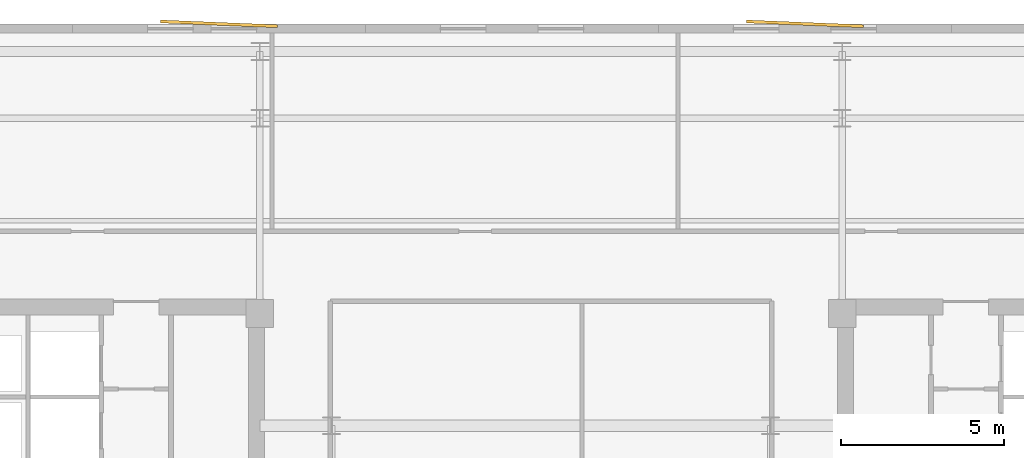
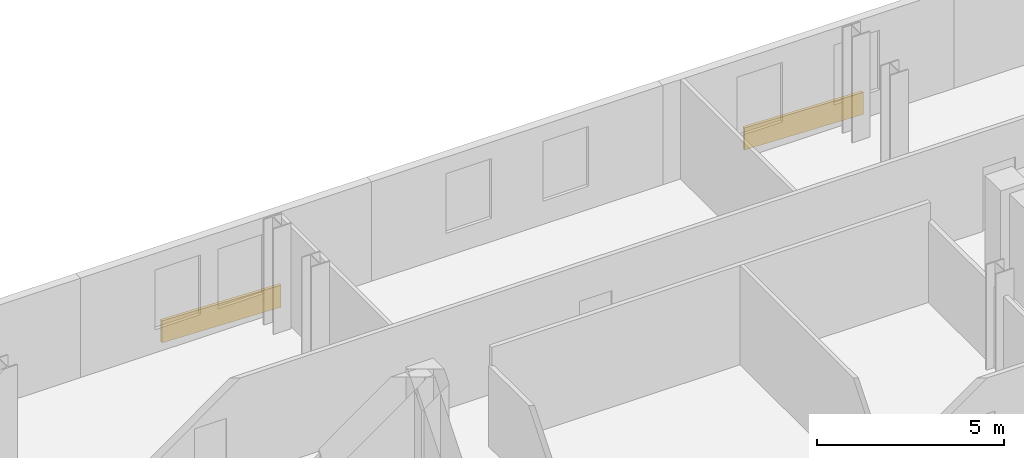
# One storey, part 9 of 9: 2 coverings.
"""IFC4 building model written with IfcOpenShell, lengths in metres."""

from ifc_helpers import new_model, si_unit, direction, frame, origin, origin_2d, place, context, subcontext, project, spatial, rectangle, extrude, material, layer, layer_set, type_object, element, save


model = new_model("IFC4")

# Units and contexts
model_context = context("Model", 3, precision=1e-05, world=origin(), true_north=direction((0.0, 1.0)))
body_context = subcontext(model_context, "Body", "Model", "MODEL_VIEW")
ifc_project = project(units=[si_unit("LENGTHUNIT", "METRE"), si_unit("AREAUNIT", "SQUARE_METRE"), si_unit("VOLUMEUNIT", "CUBIC_METRE"), si_unit("PLANEANGLEUNIT", "RADIAN"), si_unit("MASSUNIT", "GRAM", prefix="KILO")], contexts=[model_context])

# Site, building, storey
site_placement = place(None, origin())
site = spatial("IfcSite", under=ifc_project, at=site_placement, CompositionType="ELEMENT")
building_placement = place(site_placement, origin())
building = spatial("IfcBuilding", under=site, at=building_placement, Name="Velakula Bourse", CompositionType="ELEMENT")
storey_placement = place(building_placement, frame((0.0, 0.0, 218.85009765625)))
storey = spatial("IfcBuildingStorey", under=building, at=storey_placement, Name="L59", CompositionType="ELEMENT", Elevation=218.85009765625)

# Coverings
ifc_material = material(Name="Red kilned clay facing brick masonry", Category="masonry")
ifc_layer = layer(ifc_material, 0.090087890625, Name="Red kilned clay facing brick masonry", Category="masonry")
ifc_layer_set = layer_set([ifc_layer], Name="Red kilned clay facing brick masonry")
covering_type = type_object("IfcCoveringType", Name="COV-BRK-FOLD-90", PredefinedType="CLADDING", material=ifc_layer_set)
for number, where, z_axis, x_axis, name in (
    (1, (-10.199951171875, 17.5, 0.0), (0.0, 0.0, 1.0), (0.999158993058, -0.041003738744, 0.0), "L59 Folded Brick Facade Cladding Panel N-B2"),
    (2, (7.800048828125, 17.5, 0.0), (0.0, 0.0, 1.0), (0.999158993058, -0.041003738744, 0.0), "L59 Folded Brick Facade Cladding Panel N-B4"),
):
    element("IfcCovering", number, at=place(storey_placement, frame(where, z_axis=z_axis, x_axis=x_axis)), inside=storey, type_object=covering_type, Name=name, PredefinedType="CLADDING", context=body_context, shape_type="SweptSolid", body=[
        extrude(rectangle(XDim=3.60009765625, YDim=0.090087890625, at=origin_2d()), origin(), (0.0, 0.0, 1.0), 0.719970703125),
    ])

save(model, "model.ifc")
